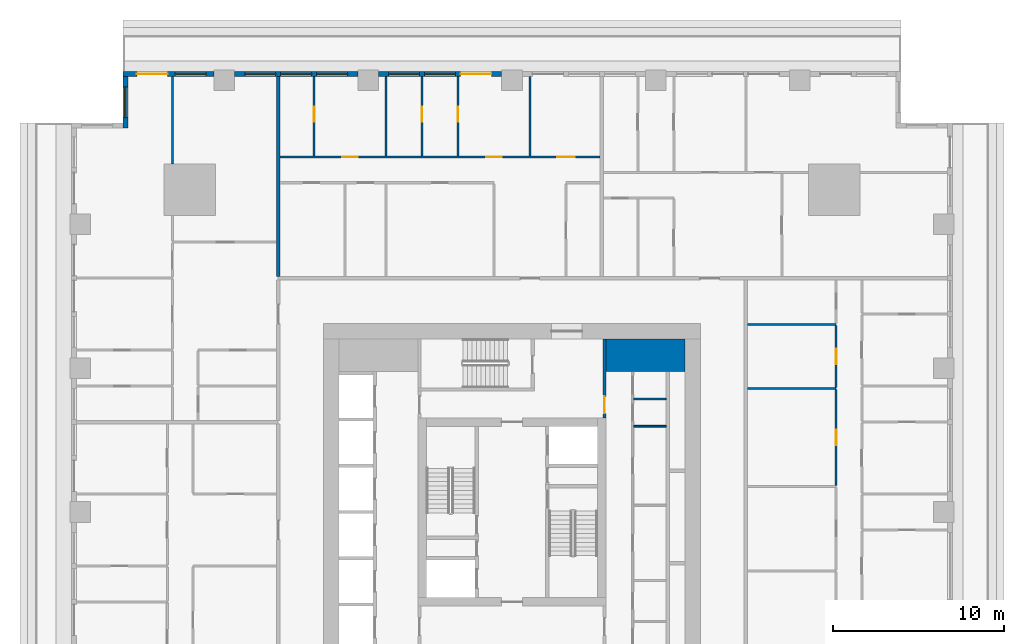
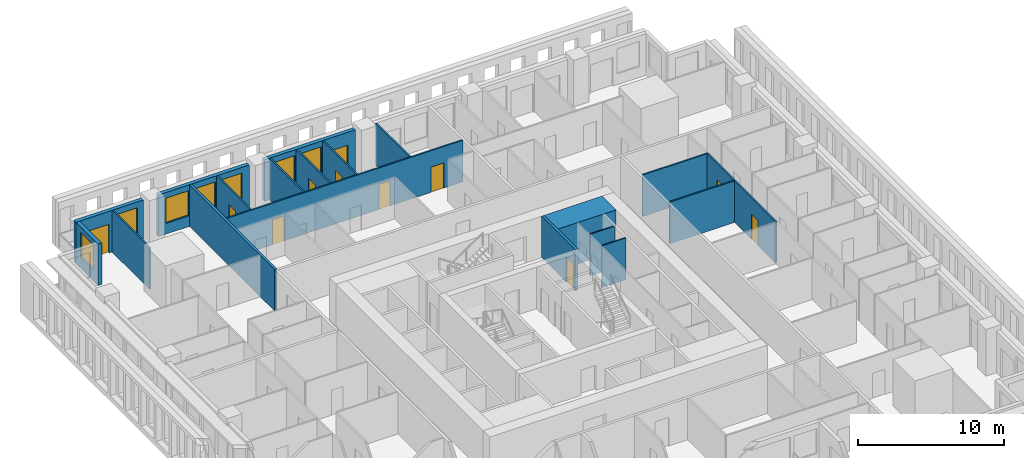
# One storey, part 8 of 15: 20 walls, 11 doors, 7 windows, 18 openings.
"""IFC4 building model written with IfcOpenShell, lengths in metres."""

from ifc_helpers import new_model, si_unit, direction, frame, frame_2d, origin, place, context, subcontext, project, spatial, rectangle, extrude, material, layer, layer_set, type_object, element, fill, save


model = new_model("IFC4")

# Units and contexts
model_context = context("Model", 3, precision=1e-05, world=origin(), true_north=direction((0.0, 1.0)))
body_context = subcontext(model_context, "Body", "Model", "MODEL_VIEW")
ifc_project = project(units=[si_unit("LENGTHUNIT", "METRE"), si_unit("AREAUNIT", "SQUARE_METRE"), si_unit("VOLUMEUNIT", "CUBIC_METRE"), si_unit("PLANEANGLEUNIT", "RADIAN"), si_unit("MASSUNIT", "GRAM", prefix="KILO")], contexts=[model_context])

# Site, building, storey
site_placement = place(None, origin())
site = spatial("IfcSite", under=ifc_project, at=site_placement, CompositionType="ELEMENT")
building_placement = place(site_placement, origin())
building = spatial("IfcBuilding", under=site, at=building_placement, Name="Khepri Terraces", CompositionType="ELEMENT")
storey_placement = place(building_placement, frame((0.0, 0.0, 50.39990234375)))
storey = spatial("IfcBuildingStorey", under=building, at=storey_placement, Name="L11", CompositionType="ELEMENT", Elevation=50.39990234375)

# Walls
ifc_material_1 = material(Name="Concrete C80/95", Category="concrete")
ifc_layer_1 = layer(ifc_material_1, 1.89990234375, Name="Concrete C80/95", Category="concrete")
ifc_layer_set_1 = layer_set([ifc_layer_1], Name="Concrete C80/95")
wall_type_1 = type_object("IfcWallType", Name="Core wall 1900 C80/95", PredefinedType="SHEAR", material=ifc_layer_set_1)
wall_1_placement = place(storey_placement, frame((5.5, 9.14990234375, 0.0), z_axis=(0.0, 0.0, 1.0), x_axis=(1.0, 0.0, 0.0)))
element("IfcWall", 1, at=wall_1_placement, inside=storey, type_object=wall_type_1, Name="Core wall PR04 L11", PredefinedType="SHEAR", context=body_context, shape_type="SweptSolid", body=[
    extrude(rectangle(XDim=4.60009765625, YDim=1.89990234375, at=frame_2d((2.300048828125, 0.0))), origin(), (0.0, 0.0, 1.0), 3.47998046875),
])
ifc_material_2 = material(Name="Fire-rated gypsum board partition")
ifc_layer_2 = layer(ifc_material_2, 0.10009765625, Name="Fire-rated gypsum board partition")
ifc_layer_set_2 = layer_set([ifc_layer_2], Name="Fire-rated gypsum board partition")
wall_type_2 = type_object("IfcWallType", Name="WL-CORE-PART-100", PredefinedType="PARTITIONING", material=ifc_layer_set_2)
for number, where, z_axis, x_axis, name in (
    (2, (7.10009765625, 5.0, 0.0), (0.0, 0.0, 1.0), (1.0, 0.0, 0.0), "Core partition PT07 L11"),
    (3, (7.10009765625, 6.60009765625, 0.0), (0.0, 0.0, 1.0), (1.0, 0.0, 0.0), "Core partition PT10 L11"),
):
    element("IfcWall", number, at=place(storey_placement, frame(where, z_axis=z_axis, x_axis=x_axis)), inside=storey, type_object=wall_type_2, Name=name, PredefinedType="PARTITIONING", context=body_context, shape_type="SweptSolid", body=[
        extrude(rectangle(XDim=1.89990234375, YDim=0.10009765625, at=frame_2d((0.949951171875, 0.0))), origin(), (0.0, 0.0, 1.0), 3.47998046875),
    ])

# Wall, opening, door
ifc_layer_3 = layer(ifc_material_2, 0.199951171875, Name="Fire-rated gypsum board partition")
ifc_layer_set_3 = layer_set([ifc_layer_3], Name="Fire-rated gypsum board partition")
wall_type_3 = type_object("IfcWallType", Name="WL-CORE-PART-200", PredefinedType="PARTITIONING", material=ifc_layer_set_3)
wall_2_placement = place(storey_placement, frame((5.39990234375, 5.5, 0.0), z_axis=(0.0, 0.0, 1.0), x_axis=(0.0, 1.0, 0.0)))
wall_2 = element("IfcWall", 4, at=wall_2_placement, inside=storey, type_object=wall_type_3, Name="Core partition PT09 L11", PredefinedType="PARTITIONING", context=body_context, shape_type="SweptSolid", body=[
    extrude(rectangle(XDim=4.60009765625, YDim=0.199951171875, at=frame_2d((2.300048828125, 0.0))), origin(), (0.0, 0.0, 1.0), 3.47998046875),
])
opening_1_placement = place(wall_2_placement, frame((0.25, 0.0, 0.0)))
opening_1 = element("IfcOpeningElement", 5, at=opening_1_placement, cuts=wall_2, Name="Opening L11-C17", PredefinedType="OPENING", context=body_context, shape_type="SweptSolid", body=[
    extrude(rectangle(XDim=1.0, YDim=2.10009765625, at=frame_2d((0.5, 1.050048828125))), frame((0.0, 0.10986328125, 0.0), z_axis=(0.0, -1.0, 0.0), x_axis=(1.0, 0.0, 0.0)), (0.0, 0.0, 1.0), 0.219970703125),
])
ifc_material_3 = material(Name="Painted steel", Category="steel")
door_type_1 = type_object("IfcDoorType", Name="DR-CORE-LOBBY-1000", OperationType="NOTDEFINED", PredefinedType="DOOR", material=ifc_material_3)
door_1_placement = place(opening_1_placement, origin())
door_1 = element("IfcDoor", 6, at=door_1_placement, inside=storey, type_object=door_type_1, Name="Lobby door L11-C17", OperationType="SINGLE_SWING_LEFT", OverallHeight=2.10009765625, OverallWidth=1.0, PredefinedType="DOOR", context=body_context, shape_type="SweptSolid", body=[
    extrude(rectangle(XDim=1.0, YDim=2.10009765625, at=frame_2d((0.5, 1.050048828125))), frame((0.0, 0.02490234375, 0.0), z_axis=(0.0, -1.0, 0.0), x_axis=(1.0, 0.0, 0.0)), (0.0, 0.0, 1.0), 0.050048828125),
])
fill(opening_1, door_1)

# Wall
ifc_material_4 = material(Name="Fire-rated gypsum plasterboard partition, mineral wool")
ifc_layer_4 = layer(ifc_material_4, 0.199951171875, Name="Fire-rated gypsum plasterboard partition, mineral wool")
ifc_layer_set_4 = layer_set([ifc_layer_4], Name="Fire-rated gypsum plasterboard partition, mineral wool")
wall_type_4 = type_object("IfcWallType", Name="WL-CORR-200", PredefinedType="PARTITIONING", material=ifc_layer_set_4)
wall_3_placement = place(storey_placement, frame((-13.64990234375, 13.75, 0.0), z_axis=(0.0, 0.0, 1.0), x_axis=(0.0, 1.0, 0.0)))
element("IfcWall", 7, at=wall_3_placement, inside=storey, type_object=wall_type_4, Name="Partition P-084 L11", PredefinedType="PARTITIONING", context=body_context, shape_type="SweptSolid", body=[
    extrude(rectangle(XDim=11.669921875, YDim=0.199951171875, at=frame_2d((5.8349609375, 0.0))), origin(), (0.0, 0.0, 1.0), 3.47998046875),
])

# Wall, openings, door, windows
ifc_material_5 = material(Name="Precast concrete C50/60 warm stone", Category="masonry")
ifc_layer_5 = layer(ifc_material_5, 0.300048828125, Name="Precast concrete C50/60 warm stone", Category="masonry")
ifc_layer_set_5 = layer_set([ifc_layer_5], Name="Precast concrete C50/60 warm stone")
wall_type_5 = type_object("IfcWallType", Name="WL-EXT-PRECAST-300", PredefinedType="STANDARD", material=ifc_layer_set_5)
wall_4_placement = place(storey_placement, frame((-0.60009765625, 25.570068359375, 0.0), z_axis=(0.0, 0.0, 1.0), x_axis=(-1.0, 0.0, 0.0)))
wall_4 = element("IfcWall", 8, at=wall_4_placement, inside=storey, type_object=wall_type_5, Name="External wall L11 N", PredefinedType="STANDARD", context=body_context, shape_type="SweptSolid", body=[
    extrude(rectangle(XDim=7.199951171875, YDim=0.300048828125, at=frame_2d((3.60009765625, 0.0))), origin(), (0.0, 0.0, 1.0), 3.47998046875),
])
opening_2_placement = place(wall_4_placement, frame((0.60009765625, 0.0, 0.0)))
opening_2 = element("IfcOpeningElement", 9, at=opening_2_placement, cuts=wall_4, Name="Opening ED-L11-09", PredefinedType="OPENING", context=body_context, shape_type="SweptSolid", body=[
    extrude(rectangle(XDim=1.800048828125, YDim=2.39990234375, at=frame_2d((0.89990234375, 1.199951171875))), frame((0.0, 0.16015625, 0.0), z_axis=(0.0, -1.0, 0.0), x_axis=(1.0, 0.0, 0.0)), (0.0, 0.0, 1.0), 0.320068359375),
])
opening_3_placement = place(wall_4_placement, frame((2.699951171875, 0.0, 0.89990234375)))
opening_3 = element("IfcOpeningElement", 10, at=opening_3_placement, cuts=wall_4, Name="Opening W1", PredefinedType="OPENING", context=body_context, shape_type="SweptSolid", body=[
    extrude(rectangle(XDim=1.800048828125, YDim=2.10009765625, at=frame_2d((0.89990234375, 1.050048828125))), frame((0.0, 0.16015625, 0.0), z_axis=(0.0, -1.0, 0.0), x_axis=(1.0, 0.0, 0.0)), (0.0, 0.0, 1.0), 0.320068359375),
])
opening_4_placement = place(wall_4_placement, frame((4.800048828125, 0.0, 0.89990234375)))
opening_4 = element("IfcOpeningElement", 11, at=opening_4_placement, cuts=wall_4, Name="Opening W1", PredefinedType="OPENING", context=body_context, shape_type="SweptSolid", body=[
    extrude(rectangle(XDim=1.800048828125, YDim=2.10009765625, at=frame_2d((0.89990234375, 1.050048828125))), frame((0.0, 0.16015625, 0.0), z_axis=(0.0, -1.0, 0.0), x_axis=(1.0, 0.0, 0.0)), (0.0, 0.0, 1.0), 0.320068359375),
])
ifc_material_6 = material(Name="Anodised aluminium bronze glazed door", Category="aluminium")
door_type_2 = type_object("IfcDoorType", Name="DR-BAL-SLIDE-1800x2400", OperationType="NOTDEFINED", PredefinedType="DOOR", material=ifc_material_6)
door_2_placement = place(opening_2_placement, origin())
door_2 = element("IfcDoor", 12, at=door_2_placement, inside=storey, type_object=door_type_2, Name="Balcony door L11 N", OperationType="SLIDING_TO_LEFT", OverallHeight=2.39990234375, OverallWidth=1.800048828125, PredefinedType="DOOR", context=body_context, shape_type="SweptSolid", body=[
    extrude(rectangle(XDim=1.800048828125, YDim=2.39990234375, at=frame_2d((0.89990234375, 1.199951171875))), frame((0.0, 0.02490234375, 0.0), z_axis=(0.0, -1.0, 0.0), x_axis=(1.0, 0.0, 0.0)), (0.0, 0.0, 1.0), 0.050048828125),
])
fill(opening_2, door_2)
ifc_material_7 = material(Name="Clear glass", Category="glass")
window_type = type_object("IfcWindowType", Name="WIN-RES-1800x2100", PartitioningType="SINGLE_PANEL", PredefinedType="WINDOW", material=ifc_material_7)
window_1_placement = place(opening_3_placement, origin())
window_1 = element("IfcWindow", 13, at=window_1_placement, inside=storey, type_object=window_type, Name="Window L11 N", OverallHeight=2.10009765625, OverallWidth=1.800048828125, PartitioningType="SINGLE_PANEL", PredefinedType="WINDOW", context=body_context, shape_type="SweptSolid", body=[
    extrude(rectangle(XDim=1.800048828125, YDim=2.10009765625, at=frame_2d((0.89990234375, 1.050048828125))), frame((0.0, 0.030029296875, 0.0), z_axis=(0.0, -1.0, 0.0), x_axis=(1.0, 0.0, 0.0)), (0.0, 0.0, 1.0), 0.06005859375),
])
fill(opening_3, window_1)
window_2_placement = place(opening_4_placement, origin())
window_2 = element("IfcWindow", 14, at=window_2_placement, inside=storey, type_object=window_type, Name="Window L11 N", OverallHeight=2.10009765625, OverallWidth=1.800048828125, PartitioningType="SINGLE_PANEL", PredefinedType="WINDOW", context=body_context, shape_type="SweptSolid", body=[
    extrude(rectangle(XDim=1.800048828125, YDim=2.10009765625, at=frame_2d((0.89990234375, 1.050048828125))), frame((0.0, 0.030029296875, 0.0), z_axis=(0.0, -1.0, 0.0), x_axis=(1.0, 0.0, 0.0)), (0.0, 0.0, 1.0), 0.06005859375),
])
fill(opening_4, window_2)

# Wall, openings, windows
wall_5_placement = place(storey_placement, frame((-9.0, 25.570068359375, 0.0), z_axis=(0.0, 0.0, 1.0), x_axis=(-1.0, 0.0, 0.0)))
wall_5 = element("IfcWall", 15, at=wall_5_placement, inside=storey, type_object=wall_type_5, Name="External wall L11 N", PredefinedType="STANDARD", context=body_context, shape_type="SweptSolid", body=[
    extrude(rectangle(XDim=7.199951171875, YDim=0.300048828125, at=frame_2d((3.60009765625, 0.0))), origin(), (0.0, 0.0, 1.0), 3.47998046875),
])
opening_5_placement = place(wall_5_placement, frame((0.60009765625, 0.0, 0.89990234375)))
opening_5 = element("IfcOpeningElement", 16, at=opening_5_placement, cuts=wall_5, Name="Opening W1", PredefinedType="OPENING", context=body_context, shape_type="SweptSolid", body=[
    extrude(rectangle(XDim=1.800048828125, YDim=2.10009765625, at=frame_2d((0.89990234375, 1.050048828125))), frame((0.0, 0.16015625, 0.0), z_axis=(0.0, -1.0, 0.0), x_axis=(1.0, 0.0, 0.0)), (0.0, 0.0, 1.0), 0.320068359375),
])
opening_6_placement = place(wall_5_placement, frame((2.699951171875, 0.0, 0.89990234375)))
opening_6 = element("IfcOpeningElement", 17, at=opening_6_placement, cuts=wall_5, Name="Opening W1", PredefinedType="OPENING", context=body_context, shape_type="SweptSolid", body=[
    extrude(rectangle(XDim=1.800048828125, YDim=2.10009765625, at=frame_2d((0.89990234375, 1.050048828125))), frame((0.0, 0.16015625, 0.0), z_axis=(0.0, -1.0, 0.0), x_axis=(1.0, 0.0, 0.0)), (0.0, 0.0, 1.0), 0.320068359375),
])
opening_7_placement = place(wall_5_placement, frame((4.800048828125, 0.0, 0.89990234375)))
opening_7 = element("IfcOpeningElement", 18, at=opening_7_placement, cuts=wall_5, Name="Opening W1", PredefinedType="OPENING", context=body_context, shape_type="SweptSolid", body=[
    extrude(rectangle(XDim=1.800048828125, YDim=2.10009765625, at=frame_2d((0.89990234375, 1.050048828125))), frame((0.0, 0.16015625, 0.0), z_axis=(0.0, -1.0, 0.0), x_axis=(1.0, 0.0, 0.0)), (0.0, 0.0, 1.0), 0.320068359375),
])
window_3_placement = place(opening_5_placement, origin())
window_3 = element("IfcWindow", 19, at=window_3_placement, inside=storey, type_object=window_type, Name="Window L11 N", OverallHeight=2.10009765625, OverallWidth=1.800048828125, PartitioningType="SINGLE_PANEL", PredefinedType="WINDOW", context=body_context, shape_type="SweptSolid", body=[
    extrude(rectangle(XDim=1.800048828125, YDim=2.10009765625, at=frame_2d((0.89990234375, 1.050048828125))), frame((0.0, 0.030029296875, 0.0), z_axis=(0.0, -1.0, 0.0), x_axis=(1.0, 0.0, 0.0)), (0.0, 0.0, 1.0), 0.06005859375),
])
fill(opening_5, window_3)
window_4_placement = place(opening_6_placement, origin())
window_4 = element("IfcWindow", 20, at=window_4_placement, inside=storey, type_object=window_type, Name="Window L11 N", OverallHeight=2.10009765625, OverallWidth=1.800048828125, PartitioningType="SINGLE_PANEL", PredefinedType="WINDOW", context=body_context, shape_type="SweptSolid", body=[
    extrude(rectangle(XDim=1.800048828125, YDim=2.10009765625, at=frame_2d((0.89990234375, 1.050048828125))), frame((0.0, 0.030029296875, 0.0), z_axis=(0.0, -1.0, 0.0), x_axis=(1.0, 0.0, 0.0)), (0.0, 0.0, 1.0), 0.06005859375),
])
fill(opening_6, window_4)
window_5_placement = place(opening_7_placement, origin())
window_5 = element("IfcWindow", 21, at=window_5_placement, inside=storey, type_object=window_type, Name="Window L11 N", OverallHeight=2.10009765625, OverallWidth=1.800048828125, PartitioningType="SINGLE_PANEL", PredefinedType="WINDOW", context=body_context, shape_type="SweptSolid", body=[
    extrude(rectangle(XDim=1.800048828125, YDim=2.10009765625, at=frame_2d((0.89990234375, 1.050048828125))), frame((0.0, 0.030029296875, 0.0), z_axis=(0.0, -1.0, 0.0), x_axis=(1.0, 0.0, 0.0)), (0.0, 0.0, 1.0), 0.06005859375),
])
fill(opening_7, window_5)

# Wall, openings, door, window
wall_6_placement = place(storey_placement, frame((-17.39990234375, 25.570068359375, 0.0), z_axis=(0.0, 0.0, 1.0), x_axis=(-1.0, 0.0, 0.0)))
wall_6 = element("IfcWall", 22, at=wall_6_placement, inside=storey, type_object=wall_type_5, Name="External wall L11 N", PredefinedType="STANDARD", context=body_context, shape_type="SweptSolid", body=[
    extrude(rectangle(XDim=5.320068359375, YDim=0.300048828125, at=frame_2d((2.66015625, 0.0))), origin(), (0.0, 0.0, 1.0), 3.47998046875),
])
opening_8_placement = place(wall_6_placement, frame((2.699951171875, 0.0, 0.0)))
opening_8 = element("IfcOpeningElement", 23, at=opening_8_placement, cuts=wall_6, Name="Opening ED-L11-10", PredefinedType="OPENING", context=body_context, shape_type="SweptSolid", body=[
    extrude(rectangle(XDim=1.800048828125, YDim=2.39990234375, at=frame_2d((0.89990234375, 1.199951171875))), frame((0.0, 0.16015625, 0.0), z_axis=(0.0, -1.0, 0.0), x_axis=(1.0, 0.0, 0.0)), (0.0, 0.0, 1.0), 0.320068359375),
])
opening_9_placement = place(wall_6_placement, frame((0.4599609375, 0.0, 0.89990234375)))
opening_9 = element("IfcOpeningElement", 24, at=opening_9_placement, cuts=wall_6, Name="Opening W1", PredefinedType="OPENING", context=body_context, shape_type="SweptSolid", body=[
    extrude(rectangle(XDim=1.800048828125, YDim=2.10009765625, at=frame_2d((0.89990234375, 1.050048828125))), frame((0.0, 0.16015625, 0.0), z_axis=(0.0, -1.0, 0.0), x_axis=(1.0, 0.0, 0.0)), (0.0, 0.0, 1.0), 0.320068359375),
])
door_3_placement = place(opening_8_placement, origin())
door_3 = element("IfcDoor", 25, at=door_3_placement, inside=storey, type_object=door_type_2, Name="Balcony door L11 N", OperationType="SLIDING_TO_LEFT", OverallHeight=2.39990234375, OverallWidth=1.800048828125, PredefinedType="DOOR", context=body_context, shape_type="SweptSolid", body=[
    extrude(rectangle(XDim=1.800048828125, YDim=2.39990234375, at=frame_2d((0.89990234375, 1.199951171875))), frame((0.0, 0.02490234375, 0.0), z_axis=(0.0, -1.0, 0.0), x_axis=(1.0, 0.0, 0.0)), (0.0, 0.0, 1.0), 0.050048828125),
])
fill(opening_8, door_3)
window_6_placement = place(opening_9_placement, origin())
window_6 = element("IfcWindow", 26, at=window_6_placement, inside=storey, type_object=window_type, Name="Window L11 N", OverallHeight=2.10009765625, OverallWidth=1.800048828125, PartitioningType="SINGLE_PANEL", PredefinedType="WINDOW", context=body_context, shape_type="SweptSolid", body=[
    extrude(rectangle(XDim=1.800048828125, YDim=2.10009765625, at=frame_2d((0.89990234375, 1.050048828125))), frame((0.0, 0.030029296875, 0.0), z_axis=(0.0, -1.0, 0.0), x_axis=(1.0, 0.0, 0.0)), (0.0, 0.0, 1.0), 0.06005859375),
])
fill(opening_9, window_6)

# Wall, opening, window
wall_7_placement = place(storey_placement, frame((-22.570068359375, 25.419921875, 0.0), z_axis=(0.0, 0.0, 1.0), x_axis=(0.0, -1.0, 0.0)))
wall_7 = element("IfcWall", 27, at=wall_7_placement, inside=storey, type_object=wall_type_5, Name="External wall L11 W", PredefinedType="STANDARD", context=body_context, shape_type="SweptSolid", body=[
    extrude(rectangle(XDim=3.0, YDim=0.300048828125, at=frame_2d((1.5, 0.0))), origin(), (0.0, 0.0, 1.0), 3.47998046875),
])
opening_10_placement = place(wall_7_placement, frame((0.60009765625, 0.0, 0.89990234375)))
opening_10 = element("IfcOpeningElement", 28, at=opening_10_placement, cuts=wall_7, Name="Opening W1", PredefinedType="OPENING", context=body_context, shape_type="SweptSolid", body=[
    extrude(rectangle(XDim=1.800048828125, YDim=2.10009765625, at=frame_2d((0.89990234375, 1.050048828125))), frame((0.0, 0.16015625, 0.0), z_axis=(0.0, -1.0, 0.0), x_axis=(1.0, 0.0, 0.0)), (0.0, 0.0, 1.0), 0.320068359375),
])
window_7_placement = place(opening_10_placement, origin())
window_7 = element("IfcWindow", 29, at=window_7_placement, inside=storey, type_object=window_type, Name="Window L11 W", OverallHeight=2.10009765625, OverallWidth=1.800048828125, PartitioningType="SINGLE_PANEL", PredefinedType="WINDOW", context=body_context, shape_type="SweptSolid", body=[
    extrude(rectangle(XDim=1.800048828125, YDim=2.10009765625, at=frame_2d((0.89990234375, 1.050048828125))), frame((0.0, 0.030029296875, 0.0), z_axis=(0.0, -1.0, 0.0), x_axis=(1.0, 0.0, 0.0)), (0.0, 0.0, 1.0), 0.06005859375),
])
fill(opening_10, window_7)

# Wall, opening, door
ifc_material_8 = material(Name="Gypsum plasterboard partition")
ifc_layer_6 = layer(ifc_material_8, 0.1201171875, Name="Gypsum plasterboard partition")
ifc_layer_set_6 = layer_set([ifc_layer_6], Name="Gypsum plasterboard partition")
wall_type_6 = type_object("IfcWallType", Name="WL-PART-120", PredefinedType="PARTITIONING", material=ifc_layer_set_6)
wall_8_placement = place(storey_placement, frame((18.919921875, 1.56005859375, 0.0), z_axis=(0.0, 0.0, 1.0), x_axis=(0.0, 1.0, 0.0)))
wall_8 = element("IfcWall", 30, at=wall_8_placement, inside=storey, type_object=wall_type_6, Name="Partition P-059 L11", PredefinedType="PARTITIONING", context=body_context, shape_type="SweptSolid", body=[
    extrude(rectangle(XDim=5.579833984375, YDim=0.1201171875, at=frame_2d((2.7900390625, 0.0))), origin(), (0.0, 0.0, 1.0), 3.47998046875),
])
opening_11_placement = place(wall_8_placement, frame((2.340087890625, 0.0, 0.0)))
opening_11 = element("IfcOpeningElement", 31, at=opening_11_placement, cuts=wall_8, Name="Opening D3", PredefinedType="OPENING", context=body_context, shape_type="SweptSolid", body=[
    extrude(rectangle(XDim=0.89990234375, YDim=2.10009765625, at=frame_2d((0.449951171875, 1.050048828125))), frame((0.0, 0.070068359375, 0.0), z_axis=(0.0, -1.0, 0.0), x_axis=(1.0, 0.0, 0.0)), (0.0, 0.0, 1.0), 0.14013671875),
])
ifc_material_9 = material(Name="Timber door leaf", Category="wood")
door_type_3 = type_object("IfcDoorType", Name="DR-INT-900", OperationType="NOTDEFINED", PredefinedType="DOOR", material=ifc_material_9)
door_4_placement = place(opening_11_placement, origin())
door_4 = element("IfcDoor", 32, at=door_4_placement, inside=storey, type_object=door_type_3, Name="Door Staff Bedroom", OperationType="SINGLE_SWING_LEFT", OverallHeight=2.10009765625, OverallWidth=0.89990234375, PredefinedType="DOOR", context=body_context, shape_type="SweptSolid", body=[
    extrude(rectangle(XDim=0.89990234375, YDim=2.10009765625, at=frame_2d((0.449951171875, 1.050048828125))), frame((0.0, 0.02490234375, 0.0), z_axis=(0.0, -1.0, 0.0), x_axis=(1.0, 0.0, 0.0)), (0.0, 0.0, 1.0), 0.050048828125),
])
fill(opening_11, door_4)

# Wall
wall_9_placement = place(storey_placement, frame((13.75, 7.199951171875, 0.0), z_axis=(0.0, 0.0, 1.0), x_axis=(1.0, 0.0, 0.0)))
element("IfcWall", 33, at=wall_9_placement, inside=storey, type_object=wall_type_6, Name="Partition P-066 L11", PredefinedType="PARTITIONING", context=body_context, shape_type="SweptSolid", body=[
    extrude(rectangle(XDim=5.169921875, YDim=0.1201171875, at=frame_2d((2.5849609375, 0.0))), origin(), (0.0, 0.0, 1.0), 3.47998046875),
])

# Wall, opening, door
wall_10_placement = place(storey_placement, frame((18.919921875, 7.260009765625, 0.0), z_axis=(0.0, 0.0, 1.0), x_axis=(0.0, 1.0, 0.0)))
wall_10 = element("IfcWall", 34, at=wall_10_placement, inside=storey, type_object=wall_type_6, Name="Partition P-067 L11", PredefinedType="PARTITIONING", context=body_context, shape_type="SweptSolid", body=[
    extrude(rectangle(XDim=3.6298828125, YDim=0.1201171875, at=frame_2d((1.81494140625, 0.0))), origin(), (0.0, 0.0, 1.0), 3.47998046875),
])
opening_12_placement = place(wall_10_placement, frame((1.364990234375, 0.0, 0.0)))
opening_12 = element("IfcOpeningElement", 35, at=opening_12_placement, cuts=wall_10, Name="Opening D4", PredefinedType="OPENING", context=body_context, shape_type="SweptSolid", body=[
    extrude(rectangle(XDim=0.89990234375, YDim=2.10009765625, at=frame_2d((0.449951171875, 1.050048828125))), frame((0.0, 0.070068359375, 0.0), z_axis=(0.0, -1.0, 0.0), x_axis=(1.0, 0.0, 0.0)), (0.0, 0.0, 1.0), 0.14013671875),
])
ifc_material_10 = material(Name="Timber door leaf, moisture resistant", Category="wood")
door_type_4 = type_object("IfcDoorType", Name="DR-WET-900", OperationType="NOTDEFINED", PredefinedType="DOOR", material=ifc_material_10)
door_5_placement = place(opening_12_placement, origin())
door_5 = element("IfcDoor", 36, at=door_5_placement, inside=storey, type_object=door_type_4, Name="Door Guest Bathroom", OperationType="SINGLE_SWING_LEFT", OverallHeight=2.10009765625, OverallWidth=0.89990234375, PredefinedType="DOOR", context=body_context, shape_type="SweptSolid", body=[
    extrude(rectangle(XDim=0.89990234375, YDim=2.10009765625, at=frame_2d((0.449951171875, 1.050048828125))), frame((0.0, 0.02490234375, 0.0), z_axis=(0.0, -1.0, 0.0), x_axis=(1.0, 0.0, 0.0)), (0.0, 0.0, 1.0), 0.050048828125),
])
fill(opening_12, door_5)

# Walls
wall_11_placement = place(storey_placement, frame((13.75, 10.949951171875, 0.0), z_axis=(0.0, 0.0, 1.0), x_axis=(1.0, 0.0, 0.0)))
element("IfcWall", 37, at=wall_11_placement, inside=storey, type_object=wall_type_6, Name="Partition P-077 L11", PredefinedType="PARTITIONING", context=body_context, shape_type="SweptSolid", body=[
    extrude(rectangle(XDim=5.169921875, YDim=0.1201171875, at=frame_2d((2.5849609375, 0.0))), origin(), (0.0, 0.0, 1.0), 3.47998046875),
])
wall_12_placement = place(storey_placement, frame((-19.820068359375, 20.300048828125, 0.0), z_axis=(0.0, 0.0, 1.0), x_axis=(0.0, 1.0, 0.0)))
element("IfcWall", 38, at=wall_12_placement, inside=storey, type_object=wall_type_6, Name="Partition P-103 L11", PredefinedType="PARTITIONING", context=body_context, shape_type="SweptSolid", body=[
    extrude(rectangle(XDim=5.119873046875, YDim=0.1201171875, at=frame_2d((2.56005859375, 0.0))), origin(), (0.0, 0.0, 1.0), 3.47998046875),
])

# Wall, openings, doors
wall_13_placement = place(storey_placement, frame((-13.550048828125, 20.719970703125, 0.0), z_axis=(0.0, 0.0, 1.0), x_axis=(1.0, 0.0, 0.0)))
wall_13 = element("IfcWall", 39, at=wall_13_placement, inside=storey, type_object=wall_type_6, Name="Partition P-104 L11", PredefinedType="PARTITIONING", context=body_context, shape_type="SweptSolid", body=[
    extrude(rectangle(XDim=18.699951171875, YDim=0.1201171875, at=frame_2d((9.35009765625, 0.0))), origin(), (0.0, 0.0, 1.0), 3.47998046875),
])
opening_13_placement = place(wall_13_placement, frame((16.199951171875, 0.0, 0.0)))
opening_13 = element("IfcOpeningElement", 40, at=opening_13_placement, cuts=wall_13, Name="Opening D2", PredefinedType="OPENING", context=body_context, shape_type="SweptSolid", body=[
    extrude(rectangle(XDim=1.0, YDim=2.10009765625, at=frame_2d((0.5, 1.050048828125))), frame((0.0, 0.070068359375, 0.0), z_axis=(0.0, -1.0, 0.0), x_axis=(1.0, 0.0, 0.0)), (0.0, 0.0, 1.0), 0.14013671875),
])
opening_14_placement = place(wall_13_placement, frame((12.050048828125, 0.0, 0.0)))
opening_14 = element("IfcOpeningElement", 41, at=opening_14_placement, cuts=wall_13, Name="Opening D3", PredefinedType="OPENING", context=body_context, shape_type="SweptSolid", body=[
    extrude(rectangle(XDim=0.89990234375, YDim=2.10009765625, at=frame_2d((0.449951171875, 1.050048828125))), frame((0.0, 0.070068359375, 0.0), z_axis=(0.0, -1.0, 0.0), x_axis=(1.0, 0.0, 0.0)), (0.0, 0.0, 1.0), 0.14013671875),
])
opening_15_placement = place(wall_13_placement, frame((3.64990234375, 0.0, 0.0)))
opening_15 = element("IfcOpeningElement", 42, at=opening_15_placement, cuts=wall_13, Name="Opening D3", PredefinedType="OPENING", context=body_context, shape_type="SweptSolid", body=[
    extrude(rectangle(XDim=0.89990234375, YDim=2.10009765625, at=frame_2d((0.449951171875, 1.050048828125))), frame((0.0, 0.070068359375, 0.0), z_axis=(0.0, -1.0, 0.0), x_axis=(1.0, 0.0, 0.0)), (0.0, 0.0, 1.0), 0.14013671875),
])
ifc_material_11 = material(Name="Timber door leaf, living room door", Category="wood")
door_type_5 = type_object("IfcDoorType", Name="DR-INT-1000", OperationType="NOTDEFINED", PredefinedType="DOOR", material=ifc_material_11)
door_6_placement = place(opening_13_placement, origin())
door_6 = element("IfcDoor", 43, at=door_6_placement, inside=storey, type_object=door_type_5, Name="Door Living Room", OperationType="SINGLE_SWING_RIGHT", OverallHeight=2.10009765625, OverallWidth=1.0, PredefinedType="DOOR", context=body_context, shape_type="SweptSolid", body=[
    extrude(rectangle(XDim=1.0, YDim=2.10009765625, at=frame_2d((0.5, 1.050048828125))), frame((0.0, 0.02490234375, 0.0), z_axis=(0.0, -1.0, 0.0), x_axis=(1.0, 0.0, 0.0)), (0.0, 0.0, 1.0), 0.050048828125),
])
fill(opening_13, door_6)
door_7_placement = place(opening_14_placement, origin())
door_7 = element("IfcDoor", 44, at=door_7_placement, inside=storey, type_object=door_type_3, Name="Door Master Bedroom", OperationType="SINGLE_SWING_RIGHT", OverallHeight=2.10009765625, OverallWidth=0.89990234375, PredefinedType="DOOR", context=body_context, shape_type="SweptSolid", body=[
    extrude(rectangle(XDim=0.89990234375, YDim=2.10009765625, at=frame_2d((0.449951171875, 1.050048828125))), frame((0.0, 0.02490234375, 0.0), z_axis=(0.0, -1.0, 0.0), x_axis=(1.0, 0.0, 0.0)), (0.0, 0.0, 1.0), 0.050048828125),
])
fill(opening_14, door_7)
door_8_placement = place(opening_15_placement, origin())
door_8 = element("IfcDoor", 45, at=door_8_placement, inside=storey, type_object=door_type_3, Name="Door Bedroom", OperationType="SINGLE_SWING_LEFT", OverallHeight=2.10009765625, OverallWidth=0.89990234375, PredefinedType="DOOR", context=body_context, shape_type="SweptSolid", body=[
    extrude(rectangle(XDim=0.89990234375, YDim=2.10009765625, at=frame_2d((0.449951171875, 1.050048828125))), frame((0.0, 0.02490234375, 0.0), z_axis=(0.0, -1.0, 0.0), x_axis=(1.0, 0.0, 0.0)), (0.0, 0.0, 1.0), 0.050048828125),
])
fill(opening_15, door_8)

# Wall, opening, door
wall_14_placement = place(storey_placement, frame((-11.550048828125, 20.780029296875, 0.0), z_axis=(0.0, 0.0, 1.0), x_axis=(0.0, 1.0, 0.0)))
wall_14 = element("IfcWall", 46, at=wall_14_placement, inside=storey, type_object=wall_type_6, Name="Partition P-105 L11", PredefinedType="PARTITIONING", context=body_context, shape_type="SweptSolid", body=[
    extrude(rectangle(XDim=4.639892578125, YDim=0.1201171875, at=frame_2d((2.31982421875, 0.0))), origin(), (0.0, 0.0, 1.0), 3.47998046875),
])
opening_16_placement = place(wall_14_placement, frame((1.989990234375, 0.0, 0.0)))
opening_16 = element("IfcOpeningElement", 47, at=opening_16_placement, cuts=wall_14, Name="Opening D4", PredefinedType="OPENING", context=body_context, shape_type="SweptSolid", body=[
    extrude(rectangle(XDim=0.89990234375, YDim=2.10009765625, at=frame_2d((0.449951171875, 1.050048828125))), frame((0.0, 0.070068359375, 0.0), z_axis=(0.0, -1.0, 0.0), x_axis=(1.0, 0.0, 0.0)), (0.0, 0.0, 1.0), 0.14013671875),
])
door_9_placement = place(opening_16_placement, origin())
door_9 = element("IfcDoor", 48, at=door_9_placement, inside=storey, type_object=door_type_4, Name="Door Bathroom", OperationType="SINGLE_SWING_RIGHT", OverallHeight=2.10009765625, OverallWidth=0.89990234375, PredefinedType="DOOR", context=body_context, shape_type="SweptSolid", body=[
    extrude(rectangle(XDim=0.89990234375, YDim=2.10009765625, at=frame_2d((0.449951171875, 1.050048828125))), frame((0.0, 0.02490234375, 0.0), z_axis=(0.0, -1.0, 0.0), x_axis=(1.0, 0.0, 0.0)), (0.0, 0.0, 1.0), 0.050048828125),
])
fill(opening_16, door_9)

# Wall
wall_15_placement = place(storey_placement, frame((-7.35009765625, 20.780029296875, 0.0), z_axis=(0.0, 0.0, 1.0), x_axis=(0.0, 1.0, 0.0)))
element("IfcWall", 49, at=wall_15_placement, inside=storey, type_object=wall_type_6, Name="Partition P-106 L11", PredefinedType="PARTITIONING", context=body_context, shape_type="SweptSolid", body=[
    extrude(rectangle(XDim=4.639892578125, YDim=0.1201171875, at=frame_2d((2.31982421875, 0.0))), origin(), (0.0, 0.0, 1.0), 3.47998046875),
])

# Wall, opening, door
wall_16_placement = place(storey_placement, frame((-5.25, 20.780029296875, 0.0), z_axis=(0.0, 0.0, 1.0), x_axis=(0.0, 1.0, 0.0)))
wall_16 = element("IfcWall", 50, at=wall_16_placement, inside=storey, type_object=wall_type_6, Name="Partition P-107 L11", PredefinedType="PARTITIONING", context=body_context, shape_type="SweptSolid", body=[
    extrude(rectangle(XDim=4.639892578125, YDim=0.1201171875, at=frame_2d((2.31982421875, 0.0))), origin(), (0.0, 0.0, 1.0), 3.47998046875),
])
opening_17_placement = place(wall_16_placement, frame((1.989990234375, 0.0, 0.0)))
opening_17 = element("IfcOpeningElement", 51, at=opening_17_placement, cuts=wall_16, Name="Opening D4", PredefinedType="OPENING", context=body_context, shape_type="SweptSolid", body=[
    extrude(rectangle(XDim=0.89990234375, YDim=2.10009765625, at=frame_2d((0.449951171875, 1.050048828125))), frame((0.0, 0.070068359375, 0.0), z_axis=(0.0, -1.0, 0.0), x_axis=(1.0, 0.0, 0.0)), (0.0, 0.0, 1.0), 0.14013671875),
])
door_10_placement = place(opening_17_placement, origin())
door_10 = element("IfcDoor", 52, at=door_10_placement, inside=storey, type_object=door_type_4, Name="Door Bathroom", OperationType="SINGLE_SWING_RIGHT", OverallHeight=2.10009765625, OverallWidth=0.89990234375, PredefinedType="DOOR", context=body_context, shape_type="SweptSolid", body=[
    extrude(rectangle(XDim=0.89990234375, YDim=2.10009765625, at=frame_2d((0.449951171875, 1.050048828125))), frame((0.0, 0.02490234375, 0.0), z_axis=(0.0, -1.0, 0.0), x_axis=(1.0, 0.0, 0.0)), (0.0, 0.0, 1.0), 0.050048828125),
])
fill(opening_17, door_10)

wall_17_placement = place(storey_placement, frame((-3.14990234375, 20.780029296875, 0.0), z_axis=(0.0, 0.0, 1.0), x_axis=(0.0, 1.0, 0.0)))
wall_17 = element("IfcWall", 53, at=wall_17_placement, inside=storey, type_object=wall_type_6, Name="Partition P-108 L11", PredefinedType="PARTITIONING", context=body_context, shape_type="SweptSolid", body=[
    extrude(rectangle(XDim=4.639892578125, YDim=0.1201171875, at=frame_2d((2.31982421875, 0.0))), origin(), (0.0, 0.0, 1.0), 3.47998046875),
])
opening_18_placement = place(wall_17_placement, frame((1.989990234375, 0.0, 0.0)))
opening_18 = element("IfcOpeningElement", 54, at=opening_18_placement, cuts=wall_17, Name="Opening D3", PredefinedType="OPENING", context=body_context, shape_type="SweptSolid", body=[
    extrude(rectangle(XDim=0.89990234375, YDim=2.10009765625, at=frame_2d((0.449951171875, 1.050048828125))), frame((0.0, 0.070068359375, 0.0), z_axis=(0.0, -1.0, 0.0), x_axis=(1.0, 0.0, 0.0)), (0.0, 0.0, 1.0), 0.14013671875),
])
door_11_placement = place(opening_18_placement, origin())
door_11 = element("IfcDoor", 55, at=door_11_placement, inside=storey, type_object=door_type_3, Name="Door Dressing Room", OperationType="SINGLE_SWING_RIGHT", OverallHeight=2.10009765625, OverallWidth=0.89990234375, PredefinedType="DOOR", context=body_context, shape_type="SweptSolid", body=[
    extrude(rectangle(XDim=0.89990234375, YDim=2.10009765625, at=frame_2d((0.449951171875, 1.050048828125))), frame((0.0, 0.02490234375, 0.0), z_axis=(0.0, -1.0, 0.0), x_axis=(1.0, 0.0, 0.0)), (0.0, 0.0, 1.0), 0.050048828125),
])
fill(opening_18, door_11)

# Wall
wall_18_placement = place(storey_placement, frame((1.050048828125, 20.780029296875, 0.0), z_axis=(0.0, 0.0, 1.0), x_axis=(0.0, 1.0, 0.0)))
element("IfcWall", 56, at=wall_18_placement, inside=storey, type_object=wall_type_6, Name="Partition P-109 L11", PredefinedType="PARTITIONING", context=body_context, shape_type="SweptSolid", body=[
    extrude(rectangle(XDim=4.639892578125, YDim=0.1201171875, at=frame_2d((2.31982421875, 0.0))), origin(), (0.0, 0.0, 1.0), 3.47998046875),
])

save(model, "model.ifc")
